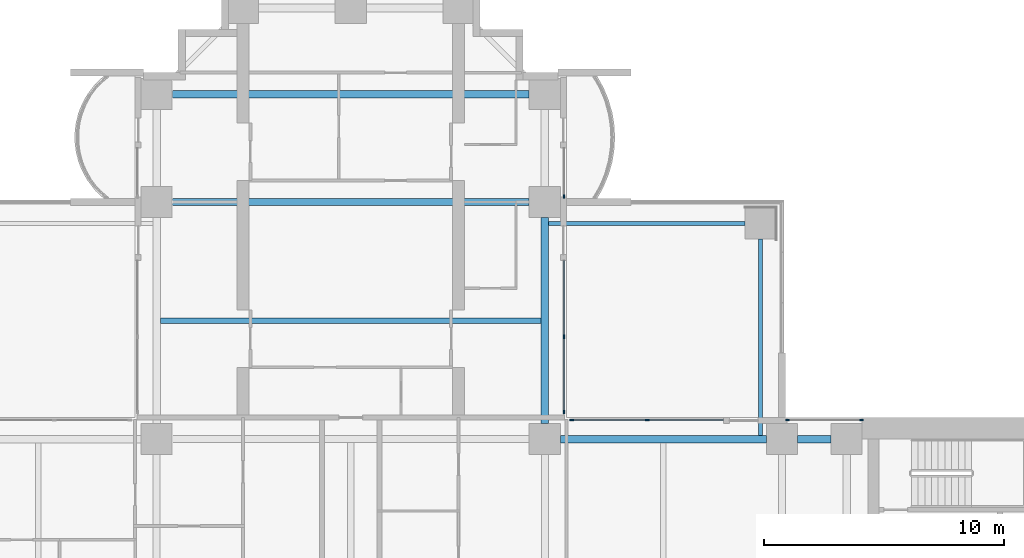
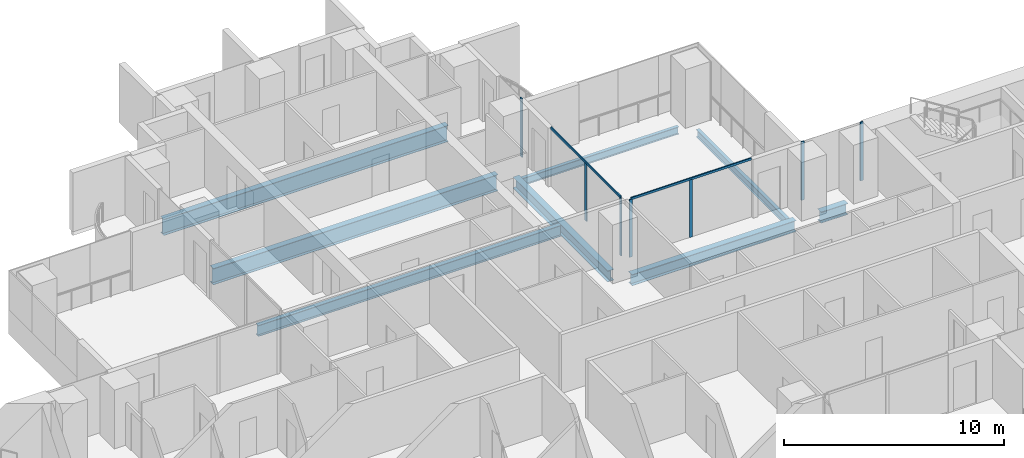
# One storey, part 6 of 21: 9 members, 8 beams, 4 elements without a shape of their own.
"""IFC4 building model written with IfcOpenShell, lengths in metres."""

from ifc_helpers import new_model, si_unit, direction, frame, origin, origin_2d, place, context, subcontext, project, spatial, rectangle, i_section, extrude, material, material_profile, profile_set, type_object, element, aggregate, save


model = new_model("IFC4")

# Units and contexts
model_context = context("Model", 3, precision=1e-05, world=origin(), true_north=direction((0.0, 1.0)))
body_context = subcontext(model_context, "Body", "Model", "MODEL_VIEW")
ifc_project = project(units=[si_unit("LENGTHUNIT", "METRE"), si_unit("AREAUNIT", "SQUARE_METRE"), si_unit("VOLUMEUNIT", "CUBIC_METRE"), si_unit("PLANEANGLEUNIT", "RADIAN"), si_unit("MASSUNIT", "GRAM", prefix="KILO")], contexts=[model_context])

# Site, building, storey
site_placement = place(None, origin())
site = spatial("IfcSite", under=ifc_project, at=site_placement, CompositionType="ELEMENT")
building_placement = place(site_placement, origin())
building = spatial("IfcBuilding", under=site, at=building_placement, Name="Perihelion Cross Residences", CompositionType="ELEMENT")
storey_placement = place(building_placement, frame((0.0, 0.0, 43.5)))
storey = spatial("IfcBuildingStorey", under=building, at=storey_placement, Name="L07", CompositionType="ELEMENT", Elevation=43.5)

# Curtain wall, members
ifc_material_1 = material(Name="Bronze anodised aluminium, tinted glazing", Category="aluminium")
curtain_wall_type = type_object("IfcCurtainWallType", Name="CW1", PredefinedType="NOTDEFINED", material=ifc_material_1)
curtain_wall_1_placement = place(storey_placement, origin())
curtain_wall_1 = element("IfcCurtainWall", 1, at=curtain_wall_1_placement, inside=storey, type_object=curtain_wall_type, Name="Curtain wall CW1 L07 east side north bay 1", PredefinedType="NOTDEFINED")
ifc_material_2 = material(Name="Bronze anodised aluminium", Category="aluminium")
ifc_material_profile_1 = material_profile(ifc_material_2, rectangle(XDim=0.06005859375, YDim=0.159912109375, at=origin_2d()), Name="CW1 mullion")
ifc_profile_set_1 = profile_set([ifc_material_profile_1], Name="Bronze anodised aluminium")
member_type_1 = type_object("IfcMemberType", Name="CW1 mullion", PredefinedType="MULLION", material=ifc_profile_set_1)
member_1_placement = place(storey_placement, frame((21.320068359375, 8.89990234375, 0.0), z_axis=(0.0, 0.0, 1.0), x_axis=(0.0, -1.0, 0.0)))
member_1 = element("IfcMember", 2, at=member_1_placement, type_object=member_type_1, Name="CW1 mullion 1", PredefinedType="MULLION", context=body_context, shape_type="SweptSolid", body=[
    extrude(rectangle(XDim=0.06005859375, YDim=0.159912109375, at=origin_2d()), origin(), (0.0, 0.0, 1.0), 3.25),
])
member_2_placement = place(storey_placement, frame((18.22998046875, 8.89990234375, 0.0), z_axis=(0.0, 0.0, 1.0), x_axis=(0.0, -1.0, 0.0)))
member_2 = element("IfcMember", 3, at=member_2_placement, type_object=member_type_1, Name="CW1 mullion 2", PredefinedType="MULLION", context=body_context, shape_type="SweptSolid", body=[
    extrude(rectangle(XDim=0.06005859375, YDim=0.159912109375, at=origin_2d()), origin(), (0.0, 0.0, 1.0), 3.25),
])
aggregate(curtain_wall_1, [member_1, member_2])

curtain_wall_2_placement = place(storey_placement, origin())
curtain_wall_2 = element("IfcCurtainWall", 4, at=curtain_wall_2_placement, inside=storey, type_object=curtain_wall_type, Name="Curtain wall CW1 L07 east side north bay 2", PredefinedType="NOTDEFINED")
member_3_placement = place(storey_placement, frame((12.375, 8.89990234375, 0.0), z_axis=(0.0, 0.0, 1.0), x_axis=(0.0, -1.0, 0.0)))
member_3 = element("IfcMember", 5, at=member_3_placement, type_object=member_type_1, Name="CW1 mullion 2", PredefinedType="MULLION", context=body_context, shape_type="SweptSolid", body=[
    extrude(rectangle(XDim=0.06005859375, YDim=0.159912109375, at=origin_2d()), origin(), (0.0, 0.0, 1.0), 3.18994140625),
])
member_4_placement = place(storey_placement, frame((9.22998046875, 8.89990234375, 0.0), z_axis=(0.0, 0.0, 1.0), x_axis=(0.0, -1.0, 0.0)))
member_4 = element("IfcMember", 6, at=member_4_placement, type_object=member_type_1, Name="CW1 mullion 3", PredefinedType="MULLION", context=body_context, shape_type="SweptSolid", body=[
    extrude(rectangle(XDim=0.06005859375, YDim=0.159912109375, at=origin_2d()), origin(), (0.0, 0.0, 1.0), 3.18994140625),
])

curtain_wall_3_placement = place(storey_placement, origin())
curtain_wall_3 = element("IfcCurtainWall", 7, at=curtain_wall_3_placement, inside=storey, type_object=curtain_wall_type, Name="Curtain wall CW1 L07 north side east bay 1", PredefinedType="NOTDEFINED")
member_5_placement = place(storey_placement, frame((8.89990234375, 9.22998046875, 0.0), z_axis=(0.0, 0.0, 1.0), x_axis=(-1.0, 0.0, 0.0)))
member_5 = element("IfcMember", 8, at=member_5_placement, type_object=member_type_1, Name="CW1 mullion 1", PredefinedType="MULLION", context=body_context, shape_type="SweptSolid", body=[
    extrude(rectangle(XDim=0.06005859375, YDim=0.159912109375, at=origin_2d()), origin(), (0.0, 0.0, 1.0), 3.18994140625),
])
member_6_placement = place(storey_placement, frame((8.89990234375, 12.375, 0.0), z_axis=(0.0, 0.0, 1.0), x_axis=(-1.0, 0.0, 0.0)))
member_6 = element("IfcMember", 9, at=member_6_placement, type_object=member_type_1, Name="CW1 mullion 2", PredefinedType="MULLION", context=body_context, shape_type="SweptSolid", body=[
    extrude(rectangle(XDim=0.06005859375, YDim=0.159912109375, at=origin_2d()), origin(), (0.0, 0.0, 1.0), 3.18994140625),
])

# Curtain wall, member
curtain_wall_4_placement = place(storey_placement, origin())
curtain_wall_4 = element("IfcCurtainWall", 10, at=curtain_wall_4_placement, inside=storey, type_object=curtain_wall_type, Name="Curtain wall CW1 L07 north side east bay 2", PredefinedType="NOTDEFINED")
member_7_placement = place(storey_placement, frame((8.89990234375, 18.22998046875, 0.0), z_axis=(0.0, 0.0, 1.0), x_axis=(-1.0, 0.0, 0.0)))
member_7 = element("IfcMember", 11, at=member_7_placement, type_object=member_type_1, Name="CW1 mullion 1", PredefinedType="MULLION", context=body_context, shape_type="SweptSolid", body=[
    extrude(rectangle(XDim=0.06005859375, YDim=0.159912109375, at=origin_2d()), origin(), (0.0, 0.0, 1.0), 3.25),
])
aggregate(curtain_wall_4, [member_7])

# Member
ifc_material_3 = material(Name="Bronze anodised aluminium", Category="aluminium")
ifc_material_profile_2 = material_profile(ifc_material_3, rectangle(XDim=0.06005859375, YDim=0.1201171875, at=origin_2d()), Name="CW1 transom")
ifc_profile_set_2 = profile_set([ifc_material_profile_2], Name="Bronze anodised aluminium")
member_type_2 = type_object("IfcMemberType", Name="CW1 transom", PredefinedType="USERDEFINED", material=ifc_profile_set_2)
member_8_placement = place(storey_placement, frame((15.550048828125, 8.89990234375, 3.219970703125), z_axis=(-1.0, 0.0, 0.0), x_axis=(0.0, -1.0, 0.0)))
member_8 = element("IfcMember", 12, at=member_8_placement, type_object=member_type_2, Name="CW1 head transom", ObjectType="TRANSOM", PredefinedType="USERDEFINED", context=body_context, shape_type="SweptSolid", body=[
    extrude(rectangle(XDim=0.06005859375, YDim=0.1201171875, at=origin_2d()), origin(), (0.0, 0.0, 1.0), 6.320068359375),
])

aggregate(curtain_wall_2, [member_3, member_4, member_8])

member_9_placement = place(storey_placement, frame((8.89990234375, 9.22998046875, 3.219970703125), z_axis=(0.0, 1.0, 0.0), x_axis=(-1.0, 0.0, 0.0)))
member_9 = element("IfcMember", 13, at=member_9_placement, type_object=member_type_2, Name="CW1 head transom", ObjectType="TRANSOM", PredefinedType="USERDEFINED", context=body_context, shape_type="SweptSolid", body=[
    extrude(rectangle(XDim=0.06005859375, YDim=0.1201171875, at=origin_2d()), origin(), (0.0, 0.0, 1.0), 6.320068359375),
])

aggregate(curtain_wall_3, [member_5, member_6, member_9])

# Beams
ifc_material_4 = material(Name="Steel S355", Category="steel")
ifc_material_profile_3 = material_profile(ifc_material_4, i_section(OverallWidth=0.177978515625, OverallDepth=0.406005859375, WebThickness=0.0078125, FlangeThickness=0.0126953125, at=origin_2d()), Name="W410x60")
ifc_profile_set_3 = profile_set([ifc_material_profile_3], Name="Steel S355")
beam_type_1 = type_object("IfcBeamType", Name="Core edge beam W410x60", PredefinedType="BEAM", material=ifc_profile_set_3)
for number, where, z_axis, x_axis, name in (
    (14, (17.10009765625, 8.262451171875, -0.452880859375), (0.0, 1.0, 0.0), (-1.0, 0.0, 0.0), "Core edge beam TB2 L07 corner no. 7"),
    (15, (8.262451171875, 17.10009765625, -0.452880859375), (1.0, 0.0, 0.0), (0.0, 1.0, 0.0), "Core edge beam TB2 L07 corner no. 8"),
):
    element("IfcBeam", number, at=place(storey_placement, frame(where, z_axis=z_axis, x_axis=x_axis)), inside=storey, type_object=beam_type_1, Name=name, PredefinedType="BEAM", context=body_context, shape_type="SweptSolid", body=[
        extrude(i_section(OverallWidth=0.177978515625, OverallDepth=0.406005859375, WebThickness=0.0078125, FlangeThickness=0.0126953125, at=origin_2d()), origin(), (0.0, 0.0, 1.0), 8.1875),
    ])
ifc_material_5 = material(Name="Steel S355", Category="steel")
ifc_material_profile_4 = material_profile(ifc_material_5, i_section(OverallWidth=0.324951171875, OverallDepth=0.616943359375, WebThickness=0.013916015625, FlangeThickness=0.021484375, at=origin_2d()), Name="W610x174")
ifc_profile_set_4 = profile_set([ifc_material_profile_4], Name="Steel S355")
beam_type_2 = type_object("IfcBeamType", Name="Edge beam W610x174", PredefinedType="SPANDREL", material=ifc_profile_set_4)
beam_1_placement = place(storey_placement, frame((20.050048828125, 8.10009765625, -0.55859375), z_axis=(-1.0, 0.0, 0.0), x_axis=(0.0, -1.0, 0.0)))
element("IfcBeam", 16, at=beam_1_placement, inside=storey, type_object=beam_type_2, Name="Edge beam SB2 L07 no. 14", PredefinedType="SPANDREL", context=body_context, shape_type="SweptSolid", body=[
    extrude(i_section(OverallWidth=0.324951171875, OverallDepth=0.616943359375, WebThickness=0.013916015625, FlangeThickness=0.021484375, at=origin_2d()), origin(), (0.0, 0.0, 1.0), 1.400146484375),
])
for number, where, z_axis, x_axis, name in (
    (17, (17.35009765625, 8.10009765625, -0.55859375), (-1.0, 0.0, 0.0), (0.0, -1.0, 0.0), "Edge beam SB2 L07 no. 13"),
    (18, (8.10009765625, 8.75, -0.55859375), (0.0, 1.0, 0.0), (-1.0, 0.0, 0.0), "Edge beam SB2 L07 no. 20"),
):
    element("IfcBeam", number, at=place(storey_placement, frame(where, z_axis=z_axis, x_axis=x_axis)), inside=storey, type_object=beam_type_2, Name=name, PredefinedType="SPANDREL", context=body_context, shape_type="SweptSolid", body=[
        extrude(i_section(OverallWidth=0.324951171875, OverallDepth=0.616943359375, WebThickness=0.013916015625, FlangeThickness=0.021484375, at=origin_2d()), origin(), (0.0, 0.0, 1.0), 8.60009765625),
    ])
ifc_material_6 = material(Name="Steel S355", Category="steel")
ifc_material_profile_5 = material_profile(ifc_material_6, i_section(OverallWidth=0.304931640625, OverallDepth=0.904052734375, WebThickness=0.01513671875, FlangeThickness=0.02001953125, at=origin_2d()), Name="W920x201")
ifc_profile_set_5 = profile_set([ifc_material_profile_5], Name="Steel S355")
beam_type_3 = type_object("IfcBeamType", Name="Floor girder W920x201", PredefinedType="BEAM", material=ifc_profile_set_5)
for number, where, z_axis, x_axis, name in (
    (19, (-7.449951171875, 18.0, -0.701904296875), (1.0, 0.0, 0.0), (0.0, 1.0, 0.0), "Girder G2 L07 no. 5"),
    (20, (-7.449951171875, 22.5, -0.701904296875), (1.0, 0.0, 0.0), (0.0, 1.0, 0.0), "Girder G2 L07 no. 6"),
):
    element("IfcBeam", number, at=place(storey_placement, frame(where, z_axis=z_axis, x_axis=x_axis)), inside=storey, type_object=beam_type_3, Name=name, PredefinedType="BEAM", context=body_context, shape_type="SweptSolid", body=[
        extrude(i_section(OverallWidth=0.304931640625, OverallDepth=0.904052734375, WebThickness=0.01513671875, FlangeThickness=0.02001953125, at=origin_2d()), origin(), (0.0, 0.0, 1.0), 14.89990234375),
    ])
ifc_material_7 = material(Name="Steel S355", Category="steel")
ifc_material_profile_6 = material_profile(ifc_material_7, i_section(OverallWidth=0.22900390625, OverallDepth=0.612060546875, WebThickness=0.011962890625, FlangeThickness=0.01953125, at=origin_2d()), Name="W610x125")
ifc_profile_set_6 = profile_set([ifc_material_profile_6], Name="Steel S355")
beam_type_4 = type_object("IfcBeamType", Name="Floor joist W610x125", PredefinedType="JOIST", material=ifc_profile_set_6)
beam_2_placement = place(storey_placement, frame((-7.9375, 13.050048828125, -0.555908203125), z_axis=(1.0, 0.0, 0.0), x_axis=(0.0, 1.0, 0.0)))
element("IfcBeam", 21, at=beam_2_placement, inside=storey, type_object=beam_type_4, Name="Joist J3 L07 no. 4", PredefinedType="JOIST", context=body_context, shape_type="SweptSolid", body=[
    extrude(i_section(OverallWidth=0.22900390625, OverallDepth=0.612060546875, WebThickness=0.011962890625, FlangeThickness=0.01953125, at=origin_2d()), origin(), (0.0, 0.0, 1.0), 15.875),
])

save(model, "model.ifc")
